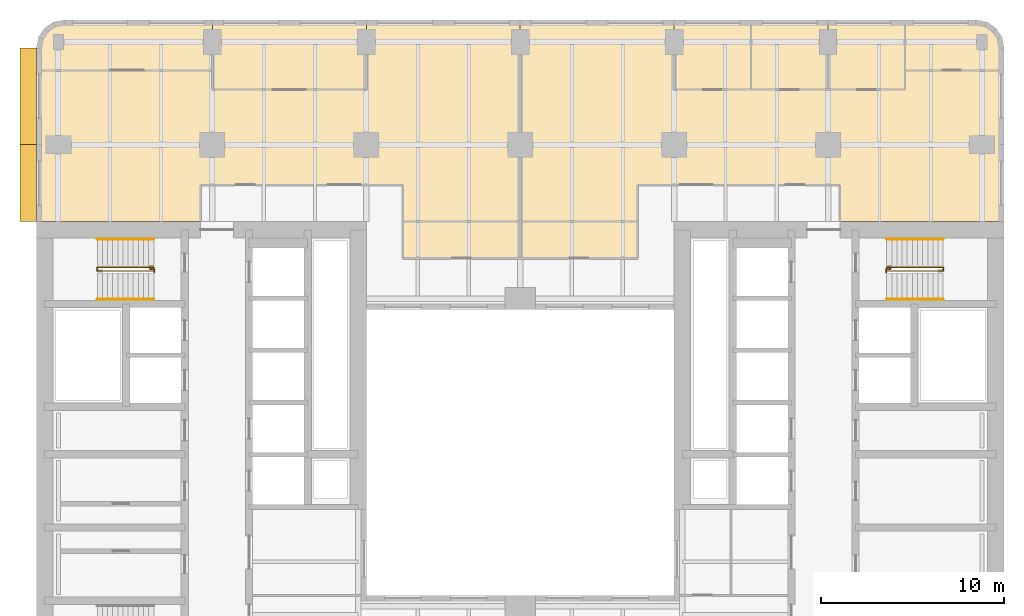
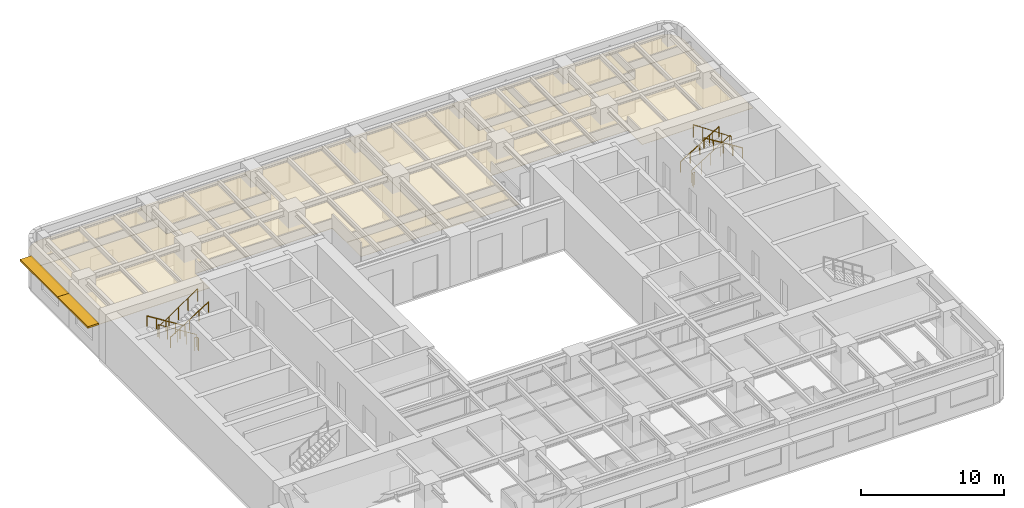
# One storey, part 11 of 11: 10 coverings, 8 railings, 2 shading devices.
"""IFC4 building model written with IfcOpenShell, lengths in metres."""

from ifc_helpers import new_model, si_unit, direction, frame, origin, origin_2d, place, context, subcontext, project, spatial, polyline, rectangle, circle, outline, extrude, material, layer, layer_set, type_object, element, save


model = new_model("IFC4")

# Units and contexts
model_context = context("Model", 3, precision=1e-05, world=origin(), true_north=direction((0.0, 1.0)))
body_context = subcontext(model_context, "Body", "Model", "MODEL_VIEW")
ifc_project = project(units=[si_unit("LENGTHUNIT", "METRE"), si_unit("AREAUNIT", "SQUARE_METRE"), si_unit("VOLUMEUNIT", "CUBIC_METRE"), si_unit("PLANEANGLEUNIT", "RADIAN"), si_unit("MASSUNIT", "GRAM", prefix="KILO")], contexts=[model_context])

# Site, building, storey
site_placement = place(None, origin())
site = spatial("IfcSite", under=ifc_project, at=site_placement, CompositionType="ELEMENT")
building_placement = place(site_placement, origin())
building = spatial("IfcBuilding", under=site, at=building_placement, Name="Claustro Exchange Tower", CompositionType="ELEMENT")
storey_placement = place(building_placement, frame((0.0, 0.0, 138.60009765625)))
storey = spatial("IfcBuildingStorey", under=building, at=storey_placement, Name="L31", CompositionType="ELEMENT", Elevation=138.60009765625)

# Coverings
ifc_material_1 = material(Name="Perforated metal ceiling tiles", Category="steel")
ifc_layer_1 = layer(ifc_material_1, 0.030029296875)
ifc_layer_set_1 = layer_set([ifc_layer_1], Name="Perforated metal ceiling tiles")
covering_type_1 = type_object("IfcCoveringType", Name="CL1 suspended metal ceiling", PredefinedType="CEILING", material=ifc_layer_set_1)
covering_1_placement = place(storey_placement, frame((0.0, 0.0, 2.7998046875)))
element("IfcCovering", 1, at=covering_1_placement, inside=storey, type_object=covering_type_1, Name="Ceiling CL1 L31-21", PredefinedType="CEILING", context=body_context, shape_type="SweptSolid", body=[
    extrude(outline(polyline([(-1.199951171875, 46.050048828125), (-1.199951171875, 37.800048828125), (7.75, 37.800048828125), (7.75, 39.800048828125), (16.800048828125, 39.800048828125), (18.800048828125, 39.800048828125), (18.800048828125, 37.800048828125), (25.199951171875, 37.800048828125), (25.199951171875, 48.800048828125), (16.800048828125, 48.800048828125), (16.800048828125, 45.0), (8.39990234375, 45.0), (8.39990234375, 46.050048828125), (-1.199951171875, 46.050048828125)])), origin(), (0.0, 0.0, 1.0), 0.030029296875),
])
ifc_material_2 = material(Name="Gypsum board ceiling", Category="gypsum board")
ifc_layer_2 = layer(ifc_material_2, 0.02490234375)
ifc_layer_set_2 = layer_set([ifc_layer_2], Name="Gypsum board ceiling")
covering_type_2 = type_object("IfcCoveringType", Name="CL2 plasterboard ceiling", PredefinedType="CEILING", material=ifc_layer_set_2)
covering_2_placement = place(storey_placement, frame((0.0, 0.0, 2.7998046875)))
element("IfcCovering", 2, at=covering_2_placement, inside=storey, type_object=covering_type_2, Name="Ceiling CL2 L31-18", PredefinedType="CEILING", context=body_context, shape_type="SweptSolid", body=[
    extrude(outline(polyline([(18.800048828125, 35.800048828125), (25.199951171875, 35.800048828125), (25.199951171875, 37.800048828125), (18.800048828125, 37.800048828125), (18.800048828125, 35.800048828125)])), origin(), (0.0, 0.0, 1.0), 0.025146484375),
])
covering_3_placement = place(storey_placement, frame((0.0, 0.0, 2.7998046875)))
element("IfcCovering", 3, at=covering_3_placement, inside=storey, type_object=covering_type_2, Name="Ceiling CL2 L31-19", PredefinedType="CEILING", context=body_context, shape_type="SweptSolid", body=[
    extrude(outline(polyline([(25.199951171875, 35.800048828125), (31.60009765625, 35.800048828125), (31.60009765625, 37.800048828125), (25.199951171875, 37.800048828125), (25.199951171875, 35.800048828125)])), origin(), (0.0, 0.0, 1.0), 0.025146484375),
])
covering_4_placement = place(storey_placement, frame((0.0, 0.0, 2.7998046875)))
element("IfcCovering", 4, at=covering_4_placement, inside=storey, type_object=covering_type_2, Name="Ceiling CL2 L31-20", PredefinedType="CEILING", context=body_context, shape_type="SweptSolid", body=[
    extrude(outline(polyline([(33.60009765625, 48.800048828125), (25.199951171875, 48.800048828125), (25.199951171875, 37.800048828125), (31.60009765625, 37.800048828125), (31.60009765625, 39.800048828125), (42.64990234375, 39.800048828125), (42.64990234375, 37.800048828125), (51.60009765625, 37.800048828125), (51.60009765625, 46.050048828125), (46.199951171875, 46.050048828125), (46.199951171875, 45.0), (42.0, 45.0), (37.800048828125, 45.0), (33.60009765625, 45.0), (33.60009765625, 48.800048828125)])), origin(), (0.0, 0.0, 1.0), 0.025146484375),
])
covering_5_placement = place(storey_placement, frame((0.0, 0.0, 2.7998046875)))
element("IfcCovering", 5, at=covering_5_placement, inside=storey, type_object=covering_type_2, Name="Ceiling CL2 L31-22", PredefinedType="CEILING", context=body_context, shape_type="SweptSolid", body=[
    extrude(outline(polyline([(16.800048828125, 48.800048828125), (8.39990234375, 48.800048828125), (8.39990234375, 45.0), (16.800048828125, 45.0), (16.800048828125, 48.800048828125)])), origin(), (0.0, 0.0, 1.0), 0.025146484375),
])
covering_6_placement = place(storey_placement, frame((0.0, 0.0, 2.7998046875)))
element("IfcCovering", 6, at=covering_6_placement, inside=storey, type_object=covering_type_2, Name="Ceiling CL2 L31-23", PredefinedType="CEILING", context=body_context, shape_type="SweptSolid", body=[
    extrude(outline(polyline([(37.800048828125, 48.800048828125), (33.60009765625, 48.800048828125), (33.60009765625, 45.0), (37.800048828125, 45.0), (37.800048828125, 48.800048828125)])), origin(), (0.0, 0.0, 1.0), 0.025146484375),
])
covering_7_placement = place(storey_placement, frame((0.0, 0.0, 2.7998046875)))
element("IfcCovering", 7, at=covering_7_placement, inside=storey, type_object=covering_type_2, Name="Ceiling CL2 L31-24", PredefinedType="CEILING", context=body_context, shape_type="SweptSolid", body=[
    extrude(outline(polyline([(42.0, 48.800048828125), (37.800048828125, 48.800048828125), (37.800048828125, 45.0), (42.0, 45.0), (42.0, 48.800048828125)])), origin(), (0.0, 0.0, 1.0), 0.025146484375),
])
covering_8_placement = place(storey_placement, frame((0.0, 0.0, 2.7998046875)))
element("IfcCovering", 8, at=covering_8_placement, inside=storey, type_object=covering_type_2, Name="Ceiling CL2 L31-25", PredefinedType="CEILING", context=body_context, shape_type="SweptSolid", body=[
    extrude(outline(polyline([(46.199951171875, 48.800048828125), (42.0, 48.800048828125), (42.0, 45.0), (46.199951171875, 45.0), (46.199951171875, 48.800048828125)])), origin(), (0.0, 0.0, 1.0), 0.025146484375),
])
covering_9_placement = place(storey_placement, frame((0.0, 0.0, 2.7998046875)))
element("IfcCovering", 9, at=covering_9_placement, inside=storey, type_object=covering_type_2, Name="Ceiling CL2 L31-26", PredefinedType="CEILING", context=body_context, shape_type="SweptSolid", body=[
    extrude(outline(polyline([(-1.199951171875, 47.300048828125), (-1.199951171875, 46.050048828125), (8.39990234375, 46.050048828125), (8.39990234375, 48.800048828125), (0.300048828125, 48.800048828125), (-0.27392578125, 48.685791015625), (-0.7607421875, 48.360595703125), (-1.085693359375, 47.8740234375), (-1.199951171875, 47.300048828125)])), origin(), (0.0, 0.0, 1.0), 0.025146484375),
])
covering_10_placement = place(storey_placement, frame((0.0, 0.0, 2.7998046875)))
element("IfcCovering", 10, at=covering_10_placement, inside=storey, type_object=covering_type_2, Name="Ceiling CL2 L31-27", PredefinedType="CEILING", context=body_context, shape_type="SweptSolid", body=[
    extrude(outline(polyline([(50.10009765625, 48.800048828125), (46.199951171875, 48.800048828125), (46.199951171875, 46.050048828125), (51.60009765625, 46.050048828125), (51.60009765625, 47.300048828125), (51.48583984375, 47.8740234375), (51.16064453125, 48.360595703125), (50.674072265625, 48.685791015625), (50.10009765625, 48.800048828125)])), origin(), (0.0, 0.0, 1.0), 0.025146484375),
])

# Railings
ifc_material_3 = material(Name="Steel balustrade, painted", Category="steel")
railing_type_1 = type_object("IfcRailingType", Name="GR2 1100 steel stair guard", PredefinedType="GUARDRAIL", material=ifc_material_3)
railing_1_placement = place(storey_placement, frame((5.199951171875, 35.300048828125, 0.1748046875)))
element("IfcRailing", 11, at=railing_1_placement, inside=storey, type_object=railing_type_1, Name="Stair well guard GR2 stair STWB L31", PredefinedType="GUARDRAIL", context=body_context, shape_type="SweptSolid", body=[
    extrude(circle(Radius=0.02392578125, at=origin_2d()), frame((0.0, 0.0, 1.076171875), z_axis=(-0.847979421464, 0.0, 0.530029150871), x_axis=(0.0, -1.0, 0.0)), (0.0, 0.0, 1.0), 3.632080078125),
    extrude(circle(Radius=0.02392578125, at=origin_2d()), frame((-3.079833984375, 0.0, 3.0009765625), z_axis=(0.0, -1.0, 0.0), x_axis=(1.0, 0.0, 0.0)), (0.0, 0.0, 1.0), 0.199951171875),
    extrude(circle(Radius=0.02392578125, at=origin_2d()), frame((-3.079833984375, -0.199951171875, 3.0009765625), z_axis=(0.826201015165, 0.0, 0.563375436579), x_axis=(0.0, 1.0, 0.0)), (0.0, 0.0, 1.0), 3.727783203125),
    extrude(circle(Radius=0.02099609375, at=origin_2d()), origin(), (0.0, 0.0, 1.0), 1.052001953125),
    extrude(circle(Radius=0.02099609375, at=origin_2d()), frame((-0.77001953125, 0.0, 0.481201171875)), (0.0, 0.0, 1.0), 1.052001953125),
    extrude(circle(Radius=0.02099609375, at=origin_2d()), frame((-1.5400390625, 0.0, 0.96240234375)), (0.0, 0.0, 1.0), 1.052001953125),
    extrude(circle(Radius=0.02099609375, at=origin_2d()), frame((-2.309814453125, 0.0, 1.44384765625)), (0.0, 0.0, 1.0), 1.052001953125),
    extrude(circle(Radius=0.02099609375, at=origin_2d()), frame((-3.079833984375, 0.0, 1.925048828125)), (0.0, 0.0, 1.0), 1.052001953125),
    extrude(circle(Radius=0.02099609375, at=origin_2d()), frame((-3.079833984375, -0.199951171875, 1.925048828125)), (0.0, 0.0, 1.0), 1.052001953125),
    extrude(circle(Radius=0.02099609375, at=origin_2d()), frame((-2.309814453125, -0.199951171875, 2.4501953125)), (0.0, 0.0, 1.0), 1.052001953125),
    extrude(circle(Radius=0.02099609375, at=origin_2d()), frame((-1.5400390625, -0.199951171875, 2.97509765625)), (0.0, 0.0, 1.0), 1.052001953125),
    extrude(circle(Radius=0.02099609375, at=origin_2d()), frame((-0.77001953125, -0.199951171875, 3.5)), (0.0, 0.0, 1.0), 1.052001953125),
    extrude(circle(Radius=0.02099609375, at=origin_2d()), frame((0.0, -0.199951171875, 4.025146484375)), (0.0, 0.0, 1.0), 1.052001953125),
])
railing_2_placement = place(storey_placement, frame((5.0, 35.22998046875, 0.0)))
element("IfcRailing", 12, at=railing_2_placement, inside=storey, type_object=railing_type_1, Name="Stair guard GR2 STWB L31", PredefinedType="GUARDRAIL", context=body_context, shape_type="SweptSolid", body=[
    extrude(circle(Radius=0.02392578125, at=origin_2d()), frame((0.0, 0.0, 1.076171875), z_axis=(0.0, -1.0, 0.0), x_axis=(1.0, 0.0, 0.0)), (0.0, 0.0, 1.0), 0.030029296875),
    extrude(circle(Radius=0.02392578125, at=origin_2d()), frame((0.0, -0.030029296875, 1.076171875), z_axis=(1.0, 0.0, 0.0), x_axis=(0.0, 1.0, 0.0)), (0.0, 0.0, 1.0), 0.22509765625),
    extrude(circle(Radius=0.02392578125, at=origin_2d()), frame((0.22509765625, -0.030029296875, 1.076171875), z_axis=(0.0, -1.0, 0.0), x_axis=(1.0, 0.0, 0.0)), (0.0, 0.0, 1.0), 0.179931640625),
    extrude(circle(Radius=0.02099609375, at=origin_2d()), origin(), (0.0, 0.0, 1.0), 1.052001953125),
    extrude(circle(Radius=0.02099609375, at=origin_2d()), frame((0.0, -0.030029296875, 0.0)), (0.0, 0.0, 1.0), 1.052001953125),
    extrude(circle(Radius=0.02099609375, at=origin_2d()), frame((0.22509765625, -0.030029296875, 0.0)), (0.0, 0.0, 1.0), 1.052001953125),
    extrude(circle(Radius=0.02099609375, at=origin_2d()), frame((0.22509765625, -0.2099609375, 0.0)), (0.0, 0.0, 1.0), 1.052001953125),
])
railing_3_placement = place(storey_placement, frame((45.199951171875, 35.300048828125, 0.1748046875)))
element("IfcRailing", 13, at=railing_3_placement, inside=storey, type_object=railing_type_1, Name="Stair well guard GR2 stair STEB L31", PredefinedType="GUARDRAIL", context=body_context, shape_type="SweptSolid", body=[
    extrude(circle(Radius=0.02392578125, at=origin_2d()), frame((0.0, 0.0, 1.076171875), z_axis=(0.847998304005, 0.0, 0.529998940003), x_axis=(0.0, 1.0, 0.0)), (0.0, 0.0, 1.0), 3.632080078125),
    extrude(circle(Radius=0.02392578125, at=origin_2d()), frame((3.080078125, 0.0, 3.0009765625), z_axis=(0.0, -1.0, 0.0), x_axis=(1.0, 0.0, 0.0)), (0.0, 0.0, 1.0), 0.199951171875),
    extrude(circle(Radius=0.02392578125, at=origin_2d()), frame((3.080078125, -0.199951171875, 3.0009765625), z_axis=(-0.826221800596, 0.0, 0.563344953133), x_axis=(0.0, -1.0, 0.0)), (0.0, 0.0, 1.0), 3.72802734375),
    extrude(circle(Radius=0.02099609375, at=origin_2d()), origin(), (0.0, 0.0, 1.0), 1.052001953125),
    extrude(circle(Radius=0.02099609375, at=origin_2d()), frame((0.77001953125, 0.0, 0.481201171875)), (0.0, 0.0, 1.0), 1.052001953125),
    extrude(circle(Radius=0.02099609375, at=origin_2d()), frame((1.5400390625, 0.0, 0.96240234375)), (0.0, 0.0, 1.0), 1.052001953125),
    extrude(circle(Radius=0.02099609375, at=origin_2d()), frame((2.31005859375, 0.0, 1.44384765625)), (0.0, 0.0, 1.0), 1.052001953125),
    extrude(circle(Radius=0.02099609375, at=origin_2d()), frame((3.080078125, 0.0, 1.925048828125)), (0.0, 0.0, 1.0), 1.052001953125),
    extrude(circle(Radius=0.02099609375, at=origin_2d()), frame((3.080078125, -0.199951171875, 1.925048828125)), (0.0, 0.0, 1.0), 1.052001953125),
    extrude(circle(Radius=0.02099609375, at=origin_2d()), frame((2.31005859375, -0.199951171875, 2.4501953125)), (0.0, 0.0, 1.0), 1.052001953125),
    extrude(circle(Radius=0.02099609375, at=origin_2d()), frame((1.5400390625, -0.199951171875, 2.97509765625)), (0.0, 0.0, 1.0), 1.052001953125),
    extrude(circle(Radius=0.02099609375, at=origin_2d()), frame((0.77001953125, -0.199951171875, 3.5)), (0.0, 0.0, 1.0), 1.052001953125),
    extrude(circle(Radius=0.02099609375, at=origin_2d()), frame((0.0, -0.199951171875, 4.025146484375)), (0.0, 0.0, 1.0), 1.052001953125),
])
railing_4_placement = place(storey_placement, frame((45.39990234375, 35.22998046875, 0.0)))
element("IfcRailing", 14, at=railing_4_placement, inside=storey, type_object=railing_type_1, Name="Stair guard GR2 STEB L31", PredefinedType="GUARDRAIL", context=body_context, shape_type="SweptSolid", body=[
    extrude(circle(Radius=0.02392578125, at=origin_2d()), frame((0.0, 0.0, 1.076171875), z_axis=(0.0, -1.0, 0.0), x_axis=(1.0, 0.0, 0.0)), (0.0, 0.0, 1.0), 0.030029296875),
    extrude(circle(Radius=0.02392578125, at=origin_2d()), frame((0.0, -0.030029296875, 1.076171875), z_axis=(-1.0, 0.0, 0.0), x_axis=(0.0, -1.0, 0.0)), (0.0, 0.0, 1.0), 0.224853515625),
    extrude(circle(Radius=0.02392578125, at=origin_2d()), frame((-0.224853515625, -0.030029296875, 1.076171875), z_axis=(0.0, -1.0, 0.0), x_axis=(1.0, 0.0, 0.0)), (0.0, 0.0, 1.0), 0.179931640625),
    extrude(circle(Radius=0.02099609375, at=origin_2d()), origin(), (0.0, 0.0, 1.0), 1.052001953125),
    extrude(circle(Radius=0.02099609375, at=origin_2d()), frame((0.0, -0.030029296875, 0.0)), (0.0, 0.0, 1.0), 1.052001953125),
    extrude(circle(Radius=0.02099609375, at=origin_2d()), frame((-0.224853515625, -0.030029296875, 0.0)), (0.0, 0.0, 1.0), 1.052001953125),
    extrude(circle(Radius=0.02099609375, at=origin_2d()), frame((-0.224853515625, -0.2099609375, 0.0)), (0.0, 0.0, 1.0), 1.052001953125),
])
ifc_material_4 = material(Name="Stainless steel tube", Category="steel")
railing_type_2 = type_object("IfcRailingType", Name="HR1 900 stair handrail", PredefinedType="HANDRAIL", material=ifc_material_4)
railing_5_placement = place(storey_placement, frame((5.199951171875, 36.840087890625, 0.1748046875)))
element("IfcRailing", 15, at=railing_5_placement, inside=storey, type_object=railing_type_2, Name="Handrail HR1 stair STWB L31", PredefinedType="HANDRAIL", context=body_context, shape_type="SweptSolid", body=[
    extrude(circle(Radius=0.02392578125, at=origin_2d()), frame((0.0, 0.0, 0.8759765625), z_axis=(-0.847979421464, 0.0, 0.530029150871), x_axis=(0.0, -1.0, 0.0)), (0.0, 0.0, 1.0), 3.632080078125),
    extrude(circle(Radius=0.02099609375, at=origin_2d()), origin(), (0.0, 0.0, 1.0), 0.851806640625),
    extrude(circle(Radius=0.02099609375, at=origin_2d()), frame((-0.77001953125, 0.0, 0.481201171875)), (0.0, 0.0, 1.0), 0.851806640625),
    extrude(circle(Radius=0.02099609375, at=origin_2d()), frame((-1.5400390625, 0.0, 0.96240234375)), (0.0, 0.0, 1.0), 0.851806640625),
    extrude(circle(Radius=0.02099609375, at=origin_2d()), frame((-2.309814453125, 0.0, 1.44384765625)), (0.0, 0.0, 1.0), 0.851806640625),
    extrude(circle(Radius=0.02099609375, at=origin_2d()), frame((-3.079833984375, 0.0, 1.925048828125)), (0.0, 0.0, 1.0), 0.851806640625),
])
railing_6_placement = place(storey_placement, frame((2.1201171875, 33.56005859375, 2.27490234375)))
element("IfcRailing", 16, at=railing_6_placement, inside=storey, type_object=railing_type_2, Name="Handrail HR1 stair STWB L31", PredefinedType="HANDRAIL", context=body_context, shape_type="SweptSolid", body=[
    extrude(circle(Radius=0.02392578125, at=origin_2d()), frame((0.0, 0.0, 0.8759765625), z_axis=(0.847979421464, 0.0, 0.530029150871), x_axis=(0.0, 1.0, 0.0)), (0.0, 0.0, 1.0), 3.632080078125),
    extrude(circle(Radius=0.02099609375, at=origin_2d()), origin(), (0.0, 0.0, 1.0), 0.851806640625),
    extrude(circle(Radius=0.02099609375, at=origin_2d()), frame((0.77001953125, 0.0, 0.481201171875)), (0.0, 0.0, 1.0), 0.851806640625),
    extrude(circle(Radius=0.02099609375, at=origin_2d()), frame((1.5400390625, 0.0, 0.96240234375)), (0.0, 0.0, 1.0), 0.851806640625),
    extrude(circle(Radius=0.02099609375, at=origin_2d()), frame((2.309814453125, 0.0, 1.44384765625)), (0.0, 0.0, 1.0), 0.851806640625),
    extrude(circle(Radius=0.02099609375, at=origin_2d()), frame((3.079833984375, 0.0, 1.925048828125)), (0.0, 0.0, 1.0), 0.851806640625),
])
railing_7_placement = place(storey_placement, frame((45.199951171875, 36.840087890625, 0.1748046875)))
element("IfcRailing", 17, at=railing_7_placement, inside=storey, type_object=railing_type_2, Name="Handrail HR1 stair STEB L31", PredefinedType="HANDRAIL", context=body_context, shape_type="SweptSolid", body=[
    extrude(circle(Radius=0.02392578125, at=origin_2d()), frame((0.0, 0.0, 0.8759765625), z_axis=(0.847998304005, 0.0, 0.529998940003), x_axis=(0.0, 1.0, 0.0)), (0.0, 0.0, 1.0), 3.632080078125),
    extrude(circle(Radius=0.02099609375, at=origin_2d()), origin(), (0.0, 0.0, 1.0), 0.851806640625),
    extrude(circle(Radius=0.02099609375, at=origin_2d()), frame((0.77001953125, 0.0, 0.481201171875)), (0.0, 0.0, 1.0), 0.851806640625),
    extrude(circle(Radius=0.02099609375, at=origin_2d()), frame((1.5400390625, 0.0, 0.96240234375)), (0.0, 0.0, 1.0), 0.851806640625),
    extrude(circle(Radius=0.02099609375, at=origin_2d()), frame((2.31005859375, 0.0, 1.44384765625)), (0.0, 0.0, 1.0), 0.851806640625),
    extrude(circle(Radius=0.02099609375, at=origin_2d()), frame((3.080078125, 0.0, 1.925048828125)), (0.0, 0.0, 1.0), 0.851806640625),
])
railing_8_placement = place(storey_placement, frame((48.280029296875, 33.56005859375, 2.27490234375)))
element("IfcRailing", 18, at=railing_8_placement, inside=storey, type_object=railing_type_2, Name="Handrail HR1 stair STEB L31", PredefinedType="HANDRAIL", context=body_context, shape_type="SweptSolid", body=[
    extrude(circle(Radius=0.02392578125, at=origin_2d()), frame((0.0, 0.0, 0.8759765625), z_axis=(-0.847998304005, 0.0, 0.529998940003), x_axis=(0.0, -1.0, 0.0)), (0.0, 0.0, 1.0), 3.632080078125),
    extrude(circle(Radius=0.02099609375, at=origin_2d()), origin(), (0.0, 0.0, 1.0), 0.851806640625),
    extrude(circle(Radius=0.02099609375, at=origin_2d()), frame((-0.77001953125, 0.0, 0.481201171875)), (0.0, 0.0, 1.0), 0.851806640625),
    extrude(circle(Radius=0.02099609375, at=origin_2d()), frame((-1.5400390625, 0.0, 0.96240234375)), (0.0, 0.0, 1.0), 0.851806640625),
    extrude(circle(Radius=0.02099609375, at=origin_2d()), frame((-2.31005859375, 0.0, 1.44384765625)), (0.0, 0.0, 1.0), 0.851806640625),
    extrude(circle(Radius=0.02099609375, at=origin_2d()), frame((-3.080078125, 0.0, 1.925048828125)), (0.0, 0.0, 1.0), 0.851806640625),
])

# Shading devices
ifc_material_5 = material(Name="Concrete HA-40 (C40/50), precast, white cement, acid-etched", Category="concrete")
ifc_layer_3 = layer(ifc_material_5, 0.14990234375)
ifc_layer_set_3 = layer_set([ifc_layer_3], Name="Concrete HA-40 (C40/50), precast, white cement, acid-etched")
shading_device_type = type_object("IfcShadingDeviceType", Name="SS2 900 precast concrete SUNSHADE", PredefinedType="SHUTTER", material=ifc_layer_set_3)
shading_device_1_placement = place(storey_placement, frame((-1.64990234375, 39.89990234375, 2.800048828125), z_axis=(0.0, 0.0, 1.0), x_axis=(0.0, 1.0, 0.0)))
element("IfcShadingDevice", 19, at=shading_device_1_placement, inside=storey, type_object=shading_device_type, Name="Precast SUNSHADE SS2 L31", PredefinedType="SHUTTER", context=body_context, shape_type="SweptSolid", body=[
    extrude(rectangle(XDim=4.199951171875, YDim=0.89990234375, at=origin_2d()), origin(), (0.0, 0.0, 1.0), 0.14990234375),
])
shading_device_2_placement = place(storey_placement, frame((-1.64990234375, 44.642578125, 2.800048828125), z_axis=(0.0, 0.0, 1.0), x_axis=(0.0, 1.0, 0.0)))
element("IfcShadingDevice", 20, at=shading_device_2_placement, inside=storey, type_object=shading_device_type, Name="Precast SUNSHADE SS2 L31", PredefinedType="SHUTTER", context=body_context, shape_type="SweptSolid", body=[
    extrude(rectangle(XDim=5.28515625, YDim=0.89990234375, at=origin_2d()), origin(), (0.0, 0.0, 1.0), 0.14990234375),
])

save(model, "model.ifc")
